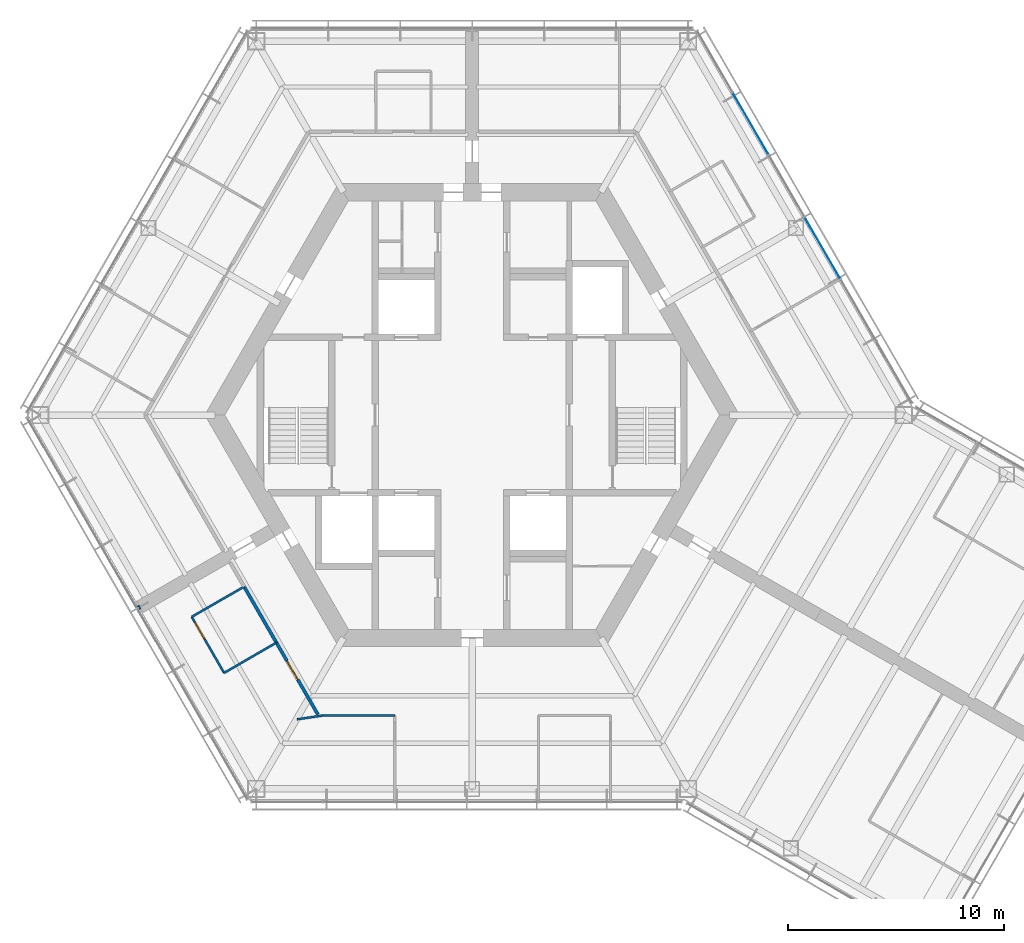
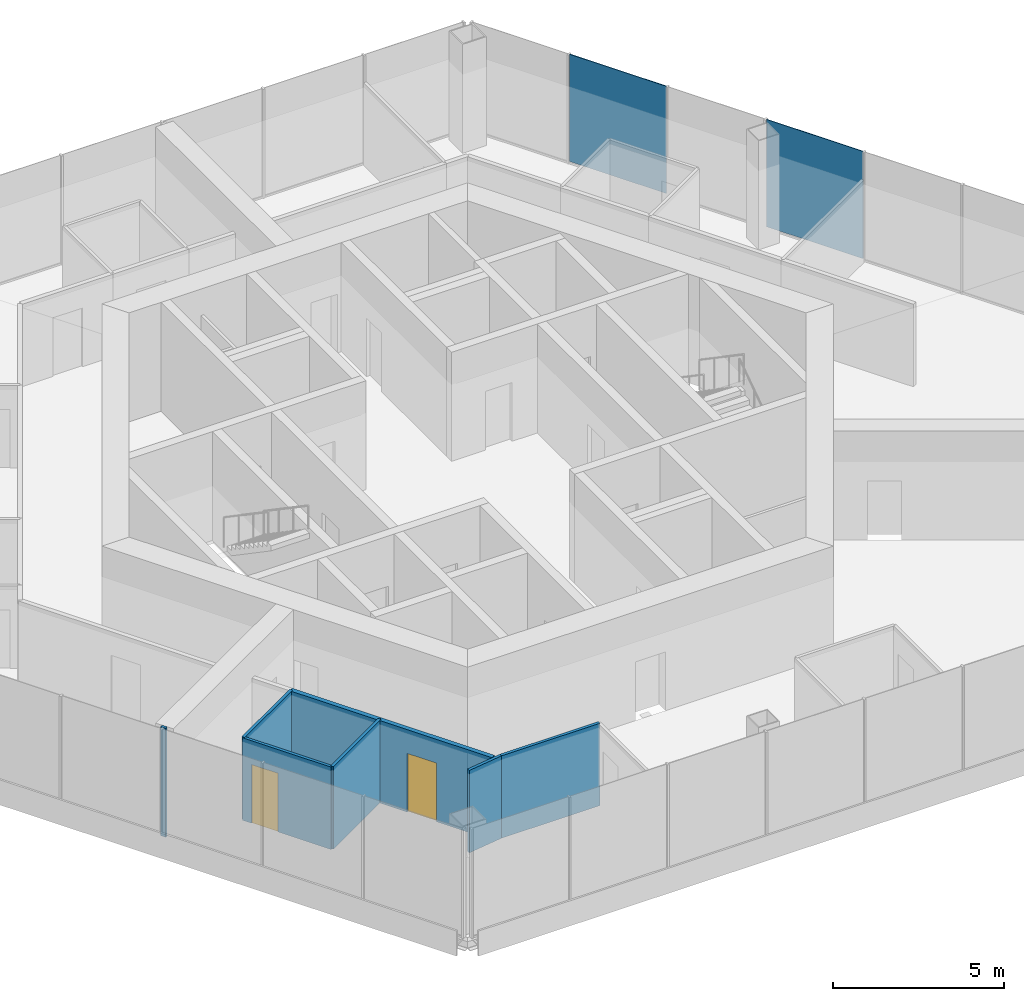
# One storey, part 9 of 16: 8 walls, 2 doors, 2 plates, 2 openings, 1 element without a shape of its own.
"""IFC4 building model written with IfcOpenShell, lengths in metres."""

import ifcopenshell
import ifcopenshell.guid

model = None  # the IFC model being written
_history = None  # IfcOwnerHistory: only IFC2X3 demands one
_inside = {}  # id of a spatial element -> (the spatial element, [elements in it])
_under = {}  # id of a project, library or spatial element -> (it, [spatial elements below it])
_declared = {}  # id of a project -> (the project, [libraries it declares])
_typed = {}  # id of a type object -> (the type object, [elements of that type])
_made_of = {}  # id of a material, layer set ... -> (it, [elements and type objects made of it])


def new_model(schema):
    """Start an empty IFC model of exactly this schema.

    Asked for "IFC4X3", IfcOpenShell would pick the latest addendum, in which some entities
    have other attributes; the version numbers below select the first issue.
    IFC2X3 requires an IfcOwnerHistory on every rooted entity: one is made here for all.
    """
    global model, _history
    if schema == "IFC4X3":
        model = ifcopenshell.file(schema_version=(4, 3, 0, 0))
    else:
        model = ifcopenshell.file(schema=schema)
    _inside.clear()
    _under.clear()
    _declared.clear()
    _typed.clear()
    _made_of.clear()
    _history = None
    if model.schema == "IFC2X3":
        org = make("IfcOrganization", Name="unknown")
        user = make(
            "IfcPersonAndOrganization",
            ThePerson=make("IfcPerson", FamilyName="unknown"),
            TheOrganization=org,
        )
        app = make(
            "IfcApplication",
            ApplicationDeveloper=org,
            Version="unknown",
            ApplicationFullName="unknown",
            ApplicationIdentifier="unknown",
        )
        _history = make(
            "IfcOwnerHistory",
            OwningUser=user,
            OwningApplication=app,
            ChangeAction="ADDED",
            CreationDate=0,
        )
    return model


def make(cls, **values):
    """One entity of the class cls with the attributes given. An attribute that is None is left unset."""
    return model.create_entity(
        cls, **{name: value for name, value in values.items() if value is not None}
    )


def rooted(cls, **values):
    """An entity with a GlobalId (a new one), such as an element, a storey or a relation."""
    return make(cls, GlobalId=ifcopenshell.guid.new(), OwnerHistory=_history, **values)


def si_unit(unit_type, name, prefix=None):
    """IfcSIUnit, for example si_unit("LENGTHUNIT", "METRE", prefix="MILLI")."""
    return make("IfcSIUnit", UnitType=unit_type, Prefix=prefix, Name=name)


def assignment(units):
    """IfcUnitAssignment: the units of a project."""
    return None if units is None else make("IfcUnitAssignment", Units=units)


def point(xyz):
    """IfcCartesianPoint."""
    return None if xyz is None else make("IfcCartesianPoint", Coordinates=xyz)


def direction(xyz):
    """IfcDirection."""
    return None if xyz is None else make("IfcDirection", DirectionRatios=xyz)


def frame(location, z_axis=None, x_axis=None):
    """IfcAxis2Placement3D, a coordinate frame: its origin and axes. An axis left out is left unset."""
    return make(
        "IfcAxis2Placement3D",
        Location=point(location),
        Axis=direction(z_axis),
        RefDirection=direction(x_axis),
    )


def frame_2d(location, x_axis=None):
    """IfcAxis2Placement2D, a coordinate frame in the plane: its origin and x axis."""
    return make(
        "IfcAxis2Placement2D", Location=point(location), RefDirection=direction(x_axis)
    )


def origin():
    """The frame at (0, 0, 0) with its axes left unset."""
    return frame((0.0, 0.0, 0.0))


def origin_2d():
    """The frame at (0, 0) in the plane with its x axis left unset."""
    return frame_2d((0.0, 0.0))


def place(relative_to, where):
    """IfcLocalPlacement: puts the frame where relative to a parent placement (None: the world)."""
    return make(
        "IfcLocalPlacement", PlacementRelTo=relative_to, RelativePlacement=where
    )


def context(
    kind, dimensions, precision=None, world=None, true_north=None, identifier=None
):
    """IfcGeometricRepresentationContext, for example the 3D "Model" context."""
    return make(
        "IfcGeometricRepresentationContext",
        ContextIdentifier=identifier,
        ContextType=kind,
        CoordinateSpaceDimension=dimensions,
        Precision=precision,
        WorldCoordinateSystem=world,
        TrueNorth=true_north,
    )


def subcontext(parent, identifier, kind, view, scale=None):
    """IfcGeometricRepresentationSubContext, for example "Body" below "Model"."""
    return make(
        "IfcGeometricRepresentationSubContext",
        ContextIdentifier=identifier,
        ContextType=kind,
        ParentContext=parent,
        TargetScale=scale,
        TargetView=view,
    )


def project(units=None, contexts=None):
    """IfcProject with its units and contexts."""
    return rooted(
        "IfcProject",
        Name="project",
        RepresentationContexts=contexts,
        UnitsInContext=assignment(units),
    )


def spatial(cls, under=None, at=None, **own):
    """A site, building, storey or space (cls), placed at a placement, below another one or the project."""
    s = rooted(cls, ObjectPlacement=at, **own)
    if under is not None:
        _under.setdefault(under.id(), (under, []))[1].append(s)
    return s


def profile(cls, at=None, kind="AREA", **sizes):
    """A parametric profile (cls). Its sizes go by their IFC names, for example OverallWidth=200.0."""
    return make(cls, ProfileType=kind, Position=at, **sizes)


def rectangle(**sizes):
    """IfcRectangleProfileDef."""
    return profile("IfcRectangleProfileDef", **sizes)


def extrude(swept, where, along, depth):
    """IfcExtrudedAreaSolid: the profile swept, set in the frame where, extruded along a direction by depth."""
    return make(
        "IfcExtrudedAreaSolid",
        SweptArea=swept,
        Position=where,
        ExtrudedDirection=direction(along),
        Depth=depth,
    )


def shape(context_of_items, identifier, shape_type, items):
    """IfcShapeRepresentation: the items that make up one representation, for example the "Body"."""
    return make(
        "IfcShapeRepresentation",
        ContextOfItems=context_of_items,
        RepresentationIdentifier=identifier,
        RepresentationType=shape_type,
        Items=items,
    )


def material(Name=None, Category=None):
    """IfcMaterial."""
    return make("IfcMaterial", Name=Name, Category=Category)


def layer(
    of_material, thickness, ventilated=None, Name=None, Category=None, Priority=None
):
    """IfcMaterialLayer: one layer of a wall or slab, of a material (None: an air gap)."""
    return make(
        "IfcMaterialLayer",
        Material=of_material,
        LayerThickness=thickness,
        IsVentilated=ventilated,
        Name=Name,
        Category=Category,
        Priority=Priority,
    )


def layer_set(layers, Name=None):
    """IfcMaterialLayerSet."""
    return make("IfcMaterialLayerSet", MaterialLayers=layers, LayerSetName=Name)


def made_of(thing, what):
    """Note that an element or type object is made of a material, layer set ...; save() writes the relation."""
    if what is not None:
        _made_of.setdefault(what.id(), (what, []))[1].append(thing)
    return thing


def type_object(cls, material=None, **own):
    """A type object (cls), such as IfcWallType, which elements share."""
    return made_of(rooted(cls, **own), material)


def element(
    cls,
    number,
    at=None,
    inside=None,
    cuts=None,
    type_object=None,
    material=None,
    context=None,
    identifier="Body",
    shape_type=None,
    held_by="IfcProductDefinitionShape",
    body=None,
    shapes=None,
    **own,
):
    """One element of the class cls, such as IfcWall. Its Tag is "e" and its number.

    at: its placement. inside: the storey or other place that contains it. cuts: it is an
    opening in that element (IfcRelVoidsElement). A single representation is given by context,
    identifier, shape_type and body (its items); several are given by shapes. held_by: the class
    of the entity that holds the representations. save() writes the other relations.
    """
    e = rooted(cls, Tag="e%d" % number, ObjectPlacement=at, **own)
    if body is not None:
        shapes = [shape(context, identifier, shape_type, body)]
    if shapes is not None:
        e.Representation = make(held_by, Representations=shapes)
    if inside is not None:
        _inside.setdefault(inside.id(), (inside, []))[1].append(e)
    if cuts is not None:
        rooted(
            "IfcRelVoidsElement", RelatingBuildingElement=cuts, RelatedOpeningElement=e
        )
    if type_object is not None:
        _typed.setdefault(type_object.id(), (type_object, []))[1].append(e)
    return made_of(e, material)


def fill(opening, filler):
    """IfcRelFillsElement: the door or window that sits in an opening."""
    return rooted(
        "IfcRelFillsElement",
        RelatingOpeningElement=opening,
        RelatedBuildingElement=filler,
    )


def aggregate(whole, parts):
    """IfcRelAggregates: a whole, such as a stair, and the parts it consists of."""
    return rooted("IfcRelAggregates", RelatingObject=whole, RelatedObjects=parts)


def save(model, path):
    """Write the relations noted so far, then the file.

    IfcRelAggregates (storeys below a building ...), IfcRelContainedInSpatialStructure (elements
    in a storey), IfcRelDefinesByType, IfcRelAssociatesMaterial and IfcRelDeclares: one each for
    every whole, place, type object, material and project.
    """
    for whole, parts in _under.values():
        aggregate(whole, parts)
    for where, things in _inside.values():
        rooted(
            "IfcRelContainedInSpatialStructure",
            RelatedElements=things,
            RelatingStructure=where,
        )
    for kind, things in _typed.values():
        rooted("IfcRelDefinesByType", RelatedObjects=things, RelatingType=kind)
    for what, things in _made_of.values():
        rooted("IfcRelAssociatesMaterial", RelatedObjects=things, RelatingMaterial=what)
    for by, libraries in _declared.values():
        rooted("IfcRelDeclares", RelatingContext=by, RelatedDefinitions=libraries)
    model.write(path)


model = new_model("IFC4")

# Units and contexts
model_context = context("Model", 3, precision=1e-05, world=origin(), true_north=direction((0.0, 1.0)))
body_context = subcontext(model_context, "Body", "Model", "MODEL_VIEW")
ifc_project = project(units=[si_unit("LENGTHUNIT", "METRE"), si_unit("AREAUNIT", "SQUARE_METRE"), si_unit("VOLUMEUNIT", "CUBIC_METRE"), si_unit("PLANEANGLEUNIT", "RADIAN"), si_unit("MASSUNIT", "GRAM", prefix="KILO")], contexts=[model_context])

# Site, building, storey
site_placement = place(None, origin())
site = spatial("IfcSite", under=ifc_project, at=site_placement, CompositionType="ELEMENT")
building_placement = place(site_placement, origin())
building = spatial("IfcBuilding", under=site, at=building_placement, Name="Kasaneha Research Tower", CompositionType="ELEMENT")
storey_placement = place(building_placement, frame((0.0, 0.0, 263.5)))
storey = spatial("IfcBuildingStorey", under=building, at=storey_placement, Name="L66", CompositionType="ELEMENT", Elevation=263.5)

# Curtain wall, plates
ifc_material_1 = material(Name="Glass and aluminium", Category="aluminium")
curtain_wall_type = type_object("IfcCurtainWallType", Name="High-rise office curtain wall", PredefinedType="USERDEFINED", material=ifc_material_1)
curtain_wall_placement = place(storey_placement, origin())
curtain_wall = element("IfcCurtainWall", 1, at=curtain_wall_placement, inside=storey, type_object=curtain_wall_type, Name="CW-O3 L66 run 01a", ObjectType="UNITISED CURTAIN WALL", PredefinedType="USERDEFINED")
ifc_material_2 = material(Name="Laminated double glazing", Category="glass")
ifc_layer_1 = layer(ifc_material_2, 0.02392578125)
ifc_layer_set_1 = layer_set([ifc_layer_1], Name="CW-O3 glazed panel")
plate_type = type_object("IfcPlateType", Name="CW-O3 glazed panel", PredefinedType="CURTAIN_PANEL", material=ifc_layer_set_1)
plate_1_placement = place(storey_placement, frame((16.2255859375, 7.737548828125, 0.06005859375), z_axis=(0.0, 0.0, 1.0), x_axis=(-0.499999979232, 0.866025415775, 0.0)))
plate_1 = element("IfcPlate", 2, at=plate_1_placement, type_object=plate_type, Name="CW-O3 panel 3", PredefinedType="CURTAIN_PANEL", context=body_context, shape_type="SweptSolid", body=[
    extrude(rectangle(XDim=3.27099609375, YDim=0.02392578125, at=origin_2d()), origin(), (0.0, 0.0, 1.0), 3.840087890625),
])
plate_2_placement = place(storey_placement, frame((12.89453125, 13.5068359375, 0.06005859375), z_axis=(0.0, 0.0, 1.0), x_axis=(-0.499999979232, 0.866025415775, 0.0)))
plate_2 = element("IfcPlate", 3, at=plate_2_placement, type_object=plate_type, Name="CW-O3 panel 5", PredefinedType="CURTAIN_PANEL", context=body_context, shape_type="SweptSolid", body=[
    extrude(rectangle(XDim=3.27099609375, YDim=0.02392578125, at=origin_2d()), origin(), (0.0, 0.0, 1.0), 3.840087890625),
])
aggregate(curtain_wall, [plate_1, plate_2])

# Wall
ifc_material_3 = material(Name="Gypsum board on steel studs, one layer each side", Category="steel")
ifc_layer_2 = layer(ifc_material_3, 0.10009765625)
ifc_layer_set_2 = layer_set([ifc_layer_2], Name="Office partition 100")
wall_type_1 = type_object("IfcWallType", Name="Office partition 100", PredefinedType="PARTITIONING", material=ifc_layer_set_2)
wall_1_placement = place(storey_placement, frame((-12.991455078125, -9.34814453125, 0.0), z_axis=(0.0, 0.0, 1.0), x_axis=(0.866817750494, 0.498625097071, 0.0)))
element("IfcWall", 4, at=wall_1_placement, inside=storey, type_object=wall_type_1, Name="Office partition FBS04 L66", PredefinedType="PARTITIONING", context=body_context, shape_type="SweptSolid", body=[
    extrude(rectangle(XDim=2.80029296875, YDim=0.10009765625, at=frame_2d((1.400146484375, 0.0))), origin(), (0.0, 0.0, 1.0), 2.949951171875),
])

# Wall, opening, door
wall_2_placement = place(storey_placement, frame((-11.491455078125, -11.9462890625, 0.0), z_axis=(0.0, 0.0, 1.0), x_axis=(-0.499990139034, 0.866031096941, 0.0)))
wall_2 = element("IfcWall", 5, at=wall_2_placement, inside=storey, type_object=wall_type_1, Name="Office partition FBS05 L66", PredefinedType="PARTITIONING", context=body_context, shape_type="SweptSolid", body=[
    extrude(rectangle(XDim=3.0, YDim=0.10009765625, at=frame_2d((1.5, 0.0))), origin(), (0.0, 0.0, 1.0), 2.949951171875),
])
opening_1_placement = place(wall_2_placement, frame((1.800048828125, 0.0, 0.0)))
opening_1 = element("IfcOpeningElement", 6, at=opening_1_placement, cuts=wall_2, Name="Opening L66-D35", PredefinedType="OPENING", context=body_context, shape_type="SweptSolid", body=[
    extrude(rectangle(XDim=0.89990234375, YDim=2.10009765625, at=frame_2d((0.449951171875, 1.050048828125))), frame((0.0, 0.06005859375, 0.0), z_axis=(0.0, -1.0, 0.0), x_axis=(1.0, 0.0, 0.0)), (0.0, 0.0, 1.0), 0.1201171875),
])
ifc_material_4 = material(Name="Timber veneer", Category="wood")
door_type_1 = type_object("IfcDoorType", Name="Office door 900x2100", OperationType="SINGLE_SWING_LEFT", PredefinedType="DOOR", material=ifc_material_4)
door_1_placement = place(opening_1_placement, origin())
door_1 = element("IfcDoor", 7, at=door_1_placement, inside=storey, type_object=door_type_1, Name="Pantry door L66-D35", OperationType="SINGLE_SWING_RIGHT", OverallHeight=2.10009765625, OverallWidth=0.89990234375, PredefinedType="DOOR", context=body_context, shape_type="SweptSolid", body=[
    extrude(rectangle(XDim=0.89990234375, YDim=2.10009765625, at=frame_2d((0.449951171875, 1.050048828125))), frame((0.0, 0.02490234375, 0.0), z_axis=(0.0, -1.0, 0.0), x_axis=(1.0, 0.0, 0.0)), (0.0, 0.0, 1.0), 0.050048828125),
])
fill(opening_1, door_1)

# Walls
wall_3_placement = place(storey_placement, frame((-9.06884765625, -10.542236328125, 0.0), z_axis=(0.0, 0.0, 1.0), x_axis=(-0.865195372903, -0.501434907746, 0.0)))
element("IfcWall", 8, at=wall_3_placement, inside=storey, type_object=wall_type_1, Name="Office partition FBS06 L66", PredefinedType="PARTITIONING", context=body_context, shape_type="SweptSolid", body=[
    extrude(rectangle(XDim=2.800048828125, YDim=0.10009765625, at=frame_2d((1.39990234375, 0.0))), origin(), (0.0, 0.0, 1.0), 2.949951171875),
])
wall_4_placement = place(storey_placement, frame((-8.1162109375, -14.09765625, 0.0), z_axis=(0.0, 0.0, 1.0), x_axis=(0.989162387444, 0.146825649214, 0.0)))
element("IfcWall", 9, at=wall_4_placement, inside=storey, type_object=wall_type_1, Name="Office partition FCS03 L66", PredefinedType="PARTITIONING", context=body_context, shape_type="SweptSolid", body=[
    extrude(rectangle(XDim=1.2138671875, YDim=0.10009765625, at=frame_2d((0.60693359375, 0.0))), origin(), (0.0, 0.0, 1.0), 2.949951171875),
])
wall_5_placement = place(storey_placement, frame((-6.91552734375, -13.91943359375, 0.0), z_axis=(0.0, 0.0, 1.0), x_axis=(0.999999957026, -0.000293169146, 0.0)))
element("IfcWall", 10, at=wall_5_placement, inside=storey, type_object=wall_type_1, Name="Office partition FCS04 L66", PredefinedType="PARTITIONING", context=body_context, shape_type="SweptSolid", body=[
    extrude(rectangle(XDim=3.3310546875, YDim=0.10009765625, at=frame_2d((1.66552734375, 0.0))), origin(), (0.0, 0.0, 1.0), 2.949951171875),
])
ifc_material_5 = material(Name="Gypsum board on steel studs, two layers each side", Category="steel")
ifc_layer_3 = layer(ifc_material_5, 0.14990234375)
ifc_layer_set_3 = layer_set([ifc_layer_3], Name="Suite partition 150")
wall_type_2 = type_object("IfcWallType", Name="Suite partition 150", PredefinedType="PARTITIONING", material=ifc_layer_set_3)
wall_6_placement = place(storey_placement, frame((-9.064208984375, -10.550537109375, 0.0), z_axis=(0.0, 0.0, 1.0), x_axis=(-0.499977562641, 0.866038357612, 0.0)))
element("IfcWall", 11, at=wall_6_placement, inside=storey, type_object=wall_type_2, Name="Suite partition FBS01 L66", PredefinedType="PARTITIONING", context=body_context, shape_type="SweptSolid", body=[
    extrude(rectangle(XDim=3.010009765625, YDim=0.14990234375, at=frame_2d((1.5048828125, 0.0))), origin(), (0.0, 0.0, 1.0), 2.949951171875),
])

# Wall, opening, door
wall_7_placement = place(storey_placement, frame((-7.144287109375, -13.875732421875, 0.0), z_axis=(0.0, 0.0, 1.0), x_axis=(-0.499993312796, 0.866029264609, 0.0)))
wall_7 = element("IfcWall", 12, at=wall_7_placement, inside=storey, type_object=wall_type_2, Name="Suite partition FBS03 L66", PredefinedType="PARTITIONING", context=body_context, shape_type="SweptSolid", body=[
    extrude(rectangle(XDim=3.84912109375, YDim=0.14990234375, at=frame_2d((1.924560546875, 0.0))), origin(), (0.0, 0.0, 1.0), 2.949951171875),
])
opening_2_placement = place(wall_7_placement, frame((1.869384765625, 0.0, 0.0)))
opening_2 = element("IfcOpeningElement", 13, at=opening_2_placement, cuts=wall_7, Name="Opening L66-D34", PredefinedType="OPENING", context=body_context, shape_type="SweptSolid", body=[
    extrude(rectangle(XDim=1.0, YDim=2.10009765625, at=frame_2d((0.5, 1.050048828125))), frame((0.0, 0.0849609375, 0.0), z_axis=(0.0, -1.0, 0.0), x_axis=(1.0, 0.0, 0.0)), (0.0, 0.0, 1.0), 0.169921875),
])
ifc_material_6 = material(Name="Steel", Category="steel")
door_type_2 = type_object("IfcDoorType", Name="Suite entrance door FD60 1000x2100", OperationType="NOTDEFINED", PredefinedType="DOOR", material=ifc_material_6)
door_2_placement = place(opening_2_placement, origin())
door_2 = element("IfcDoor", 14, at=door_2_placement, inside=storey, type_object=door_type_2, Name="Suite entrance door L66-D34", OperationType="SINGLE_SWING_RIGHT", OverallHeight=2.10009765625, OverallWidth=1.0, PredefinedType="DOOR", context=body_context, shape_type="SweptSolid", body=[
    extrude(rectangle(XDim=1.0, YDim=2.10009765625, at=frame_2d((0.5, 1.050048828125))), frame((0.0, 0.02490234375, 0.0), z_axis=(0.0, -1.0, 0.0), x_axis=(1.0, 0.0, 0.0)), (0.0, 0.0, 1.0), 0.050048828125),
])
fill(opening_2, door_2)

# Wall
ifc_material_7 = material(Name="Gypsum board on steel studs, two layers each side", Category="steel")
ifc_layer_4 = layer(ifc_material_7, 0.175048828125)
ifc_layer_set_4 = layer_set([ifc_layer_4], Name="Tenancy fire partition 175")
wall_type_3 = type_object("IfcWallType", Name="Tenancy fire partition 175", PredefinedType="PARTITIONING", material=ifc_layer_set_4)
wall_8_placement = place(storey_placement, frame((-15.3896484375, -8.88525390625, 0.0), z_axis=(0.0, 0.0, 1.0), x_axis=(-0.866472036435, -0.499225610396, 0.0)))
element("IfcWall", 15, at=wall_8_placement, inside=storey, type_object=wall_type_3, Name="Spine wall closer SW4-600 L66", PredefinedType="PARTITIONING", context=body_context, shape_type="SweptSolid", body=[
    extrude(rectangle(XDim=0.085205078125, YDim=0.175048828125, at=frame_2d((0.04248046875, 0.0))), origin(), (0.0, 0.0, 1.0), 3.89990234375),
])

save(model, "model.ifc")
